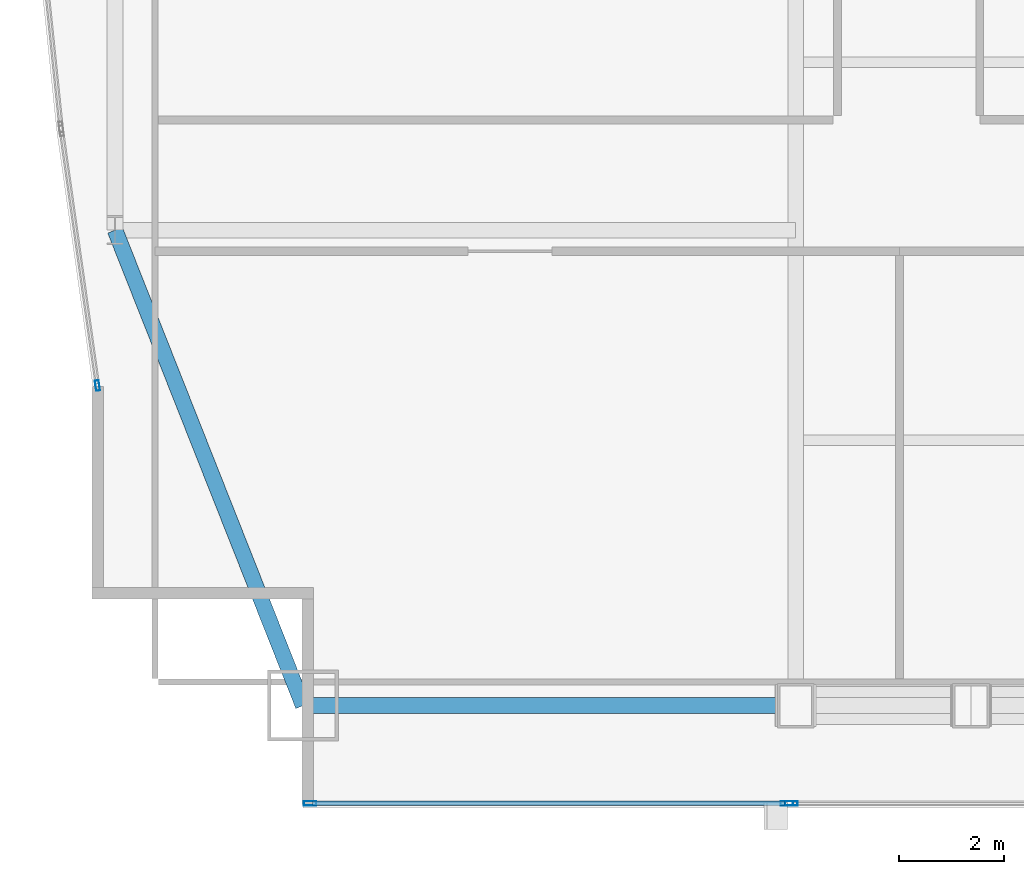
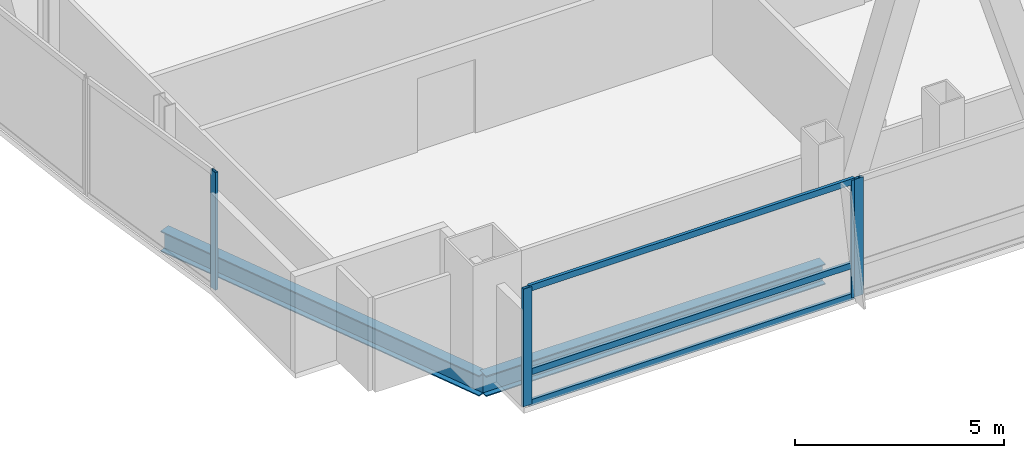
# One storey, part 5 of 30: 7 members, 2 beams, 3 elements without a shape of their own.
"""IFC4 building model written with IfcOpenShell, lengths in metres."""

from ifc_helpers import new_model, si_unit, direction, frame, origin, origin_2d, place, context, subcontext, project, spatial, hollow_rectangle, i_section, extrude, material, material_profile, profile_set, type_object, element, aggregate, save


model = new_model("IFC4")

# Units and contexts
model_context = context("Model", 3, precision=1e-05, world=origin(), true_north=direction((0.0, 1.0)))
body_context = subcontext(model_context, "Body", "Model", "MODEL_VIEW")
ifc_project = project(units=[si_unit("LENGTHUNIT", "METRE"), si_unit("AREAUNIT", "SQUARE_METRE"), si_unit("VOLUMEUNIT", "CUBIC_METRE"), si_unit("PLANEANGLEUNIT", "RADIAN"), si_unit("MASSUNIT", "GRAM", prefix="KILO")], contexts=[model_context])

# Site, building, storey
site_placement = place(None, origin())
site = spatial("IfcSite", under=ifc_project, at=site_placement, CompositionType="ELEMENT")
building_placement = place(site_placement, origin())
building = spatial("IfcBuilding", under=site, at=building_placement, Name="Khoronbel Lancet Exchange", CompositionType="ELEMENT")
storey_placement = place(building_placement, frame((0.0, 0.0, 147.0)))
storey = spatial("IfcBuildingStorey", under=building, at=storey_placement, Name="L36", CompositionType="ELEMENT", Elevation=147.0)

# Beams
ifc_material_1 = material(Name="Steel S355", Category="steel")
ifc_material_profile_1 = material_profile(ifc_material_1, i_section(OverallWidth=0.300048828125, OverallDepth=0.60009765625, WebThickness=0.015380859375, FlangeThickness=0.030029296875, at=origin_2d()), Name="HEB 600")
ifc_profile_set_1 = profile_set([ifc_material_profile_1], Name="Steel S355")
beam_type = type_object("IfcBeamType", Name="BM-BSP2", PredefinedType="SPANDREL", material=ifc_profile_set_1)
beam_1_placement = place(storey_placement, frame((8.85009765625, 10.14990234375, -0.4599609375), z_axis=(1.0, 0.0, 0.0), x_axis=(0.0, 1.0, 0.0)))
element("IfcBeam", 1, at=beam_1_placement, inside=storey, type_object=beam_type, Name="Level L36 perimeter spandrel beam SP01", PredefinedType="SPANDREL", context=body_context, shape_type="SweptSolid", body=[
    extrude(i_section(OverallWidth=0.300048828125, OverallDepth=0.60009765625, WebThickness=0.015380859375, FlangeThickness=0.030029296875, at=origin_2d()), origin(), (0.0, 0.0, 1.0), 9.375),
])
beam_2_placement = place(storey_placement, frame((5.27001953125, 19.199951171875, -0.4599609375), z_axis=(0.367850095026, -0.92988510451, 0.0), x_axis=(0.92988510451, 0.367850095026, 0.0)))
element("IfcBeam", 2, at=beam_2_placement, inside=storey, type_object=beam_type, Name="Level L36 perimeter spandrel beam SP21", PredefinedType="SPANDREL", context=body_context, shape_type="SweptSolid", body=[
    extrude(i_section(OverallWidth=0.300048828125, OverallDepth=0.60009765625, WebThickness=0.015380859375, FlangeThickness=0.030029296875, at=origin_2d()), origin(), (0.0, 0.0, 1.0), 9.732421875),
])

# Curtain wall, members
ifc_material_2 = material(Name="Low-E Solar Control Insulating Glass", Category="glass")
curtain_wall_type_1 = type_object("IfcCurtainWallType", Name="CW-3", PredefinedType="NOTDEFINED", material=ifc_material_2)
curtain_wall_1_placement = place(storey_placement, origin())
curtain_wall_1 = element("IfcCurtainWall", 3, at=curtain_wall_1_placement, inside=storey, type_object=curtain_wall_type_1, Name="Unitised curtain wall CW-L36-SWV", PredefinedType="NOTDEFINED")
ifc_material_3 = material(Name="Bronze-Anodised Aluminium 6063-T6", Category="aluminium")
ifc_material_profile_2 = material_profile(ifc_material_3, hollow_rectangle(XDim=0.0849609375, YDim=0.239990234375, WallThickness=0.006103515625, at=origin_2d()), Name="ALU MULLION 85x240")
ifc_profile_set_2 = profile_set([ifc_material_profile_2], Name="Bronze-Anodised Aluminium 6063-T6")
member_type_1 = type_object("IfcMemberType", Name="MEM-CWM1", PredefinedType="MULLION", material=ifc_profile_set_2)
member_1_placement = place(storey_placement, frame((8.982421875, 8.2900390625, 0.0), z_axis=(0.0, 0.0, 1.0), x_axis=(0.0, 1.0, 0.0)))
member_1 = element("IfcMember", 4, at=member_1_placement, type_object=member_type_1, Name="CW3 mullion 1", PredefinedType="MULLION", context=body_context, shape_type="SweptSolid", body=[
    extrude(hollow_rectangle(XDim=0.0849609375, YDim=0.239990234375, WallThickness=0.006103515625, at=origin_2d()), origin(), (0.0, 0.0, 1.0), 3.43994140625),
])
member_2_placement = place(storey_placement, frame((18.0576171875, 8.2900390625, 0.0), z_axis=(0.0, 0.0, 1.0), x_axis=(0.0, 1.0, 0.0)))
member_2 = element("IfcMember", 5, at=member_2_placement, type_object=member_type_1, Name="CW3 mullion 2", PredefinedType="MULLION", context=body_context, shape_type="SweptSolid", body=[
    extrude(hollow_rectangle(XDim=0.0849609375, YDim=0.239990234375, WallThickness=0.006103515625, at=origin_2d()), origin(), (0.0, 0.0, 1.0), 3.43994140625),
])

# Curtain wall, member
curtain_wall_2_placement = place(storey_placement, origin())
curtain_wall_2 = element("IfcCurtainWall", 6, at=curtain_wall_2_placement, inside=storey, type_object=curtain_wall_type_1, Name="Unitised curtain wall CW-L36-SWB", PredefinedType="NOTDEFINED")
member_3_placement = place(storey_placement, frame((18.142578125, 8.2900390625, 0.0), z_axis=(0.0, 0.0, 1.0), x_axis=(0.0, 1.0, 0.0)))
member_3 = element("IfcMember", 7, at=member_3_placement, type_object=member_type_1, Name="CW3 mullion 1", PredefinedType="MULLION", context=body_context, shape_type="SweptSolid", body=[
    extrude(hollow_rectangle(XDim=0.0849609375, YDim=0.239990234375, WallThickness=0.006103515625, at=origin_2d()), origin(), (0.0, 0.0, 1.0), 3.43994140625),
])
aggregate(curtain_wall_2, [member_3])

curtain_wall_type_2 = type_object("IfcCurtainWallType", Name="CW-4", PredefinedType="NOTDEFINED", material=ifc_material_2)
curtain_wall_3_placement = place(storey_placement, origin())
curtain_wall_3 = element("IfcCurtainWall", 8, at=curtain_wall_3_placement, inside=storey, type_object=curtain_wall_type_2, Name="Unitised curtain wall CW-L36-E04", PredefinedType="NOTDEFINED")
ifc_material_profile_3 = material_profile(ifc_material_3, hollow_rectangle(XDim=0.074951171875, YDim=0.199951171875, WallThickness=0.0048828125, at=origin_2d()), Name="ALU MULLION 75x200")
ifc_profile_set_3 = profile_set([ifc_material_profile_3], Name="Bronze-Anodised Aluminium 6063-T6")
member_type_2 = type_object("IfcMemberType", Name="MEM-CWM2", PredefinedType="MULLION", material=ifc_profile_set_3)
member_4_placement = place(storey_placement, frame((4.934814453125, 16.243408203125, 0.0), z_axis=(0.0, 0.0, 1.0), x_axis=(-0.990158054699, -0.139953659169, 0.0)))
member_4 = element("IfcMember", 9, at=member_4_placement, type_object=member_type_2, Name="CW4 mullion 1", PredefinedType="MULLION", context=body_context, shape_type="SweptSolid", body=[
    extrude(hollow_rectangle(XDim=0.074951171875, YDim=0.199951171875, WallThickness=0.0048828125, at=origin_2d()), origin(), (0.0, 0.0, 1.0), 3.43994140625),
])
aggregate(curtain_wall_3, [member_4])

# Member
ifc_material_profile_4 = material_profile(ifc_material_3, hollow_rectangle(XDim=0.0849609375, YDim=0.179931640625, WallThickness=0.0048828125, at=origin_2d()), Name="ALU TRANSOM 85x180")
ifc_profile_set_4 = profile_set([ifc_material_profile_4], Name="Bronze-Anodised Aluminium 6063-T6")
member_type_3 = type_object("IfcMemberType", Name="MEM-CWT1", PredefinedType="USERDEFINED", material=ifc_profile_set_4)
member_5_placement = place(storey_placement, frame((9.02490234375, 8.2900390625, 0.04248046875), z_axis=(1.0, 0.0, 0.0), x_axis=(0.0, 1.0, 0.0)))
member_5 = element("IfcMember", 10, at=member_5_placement, type_object=member_type_3, Name="CW3 transom 1.1", ObjectType="TRANSOM", PredefinedType="USERDEFINED", context=body_context, shape_type="SweptSolid", body=[
    extrude(hollow_rectangle(XDim=0.0849609375, YDim=0.179931640625, WallThickness=0.0048828125, at=origin_2d()), origin(), (0.0, 0.0, 1.0), 8.989990234375),
])

member_6_placement = place(storey_placement, frame((9.02490234375, 8.2900390625, 0.949951171875), z_axis=(1.0, 0.0, 0.0), x_axis=(0.0, 1.0, 0.0)))
member_6 = element("IfcMember", 11, at=member_6_placement, type_object=member_type_3, Name="CW3 transom 1.2", ObjectType="TRANSOM", PredefinedType="USERDEFINED", context=body_context, shape_type="SweptSolid", body=[
    extrude(hollow_rectangle(XDim=0.0849609375, YDim=0.179931640625, WallThickness=0.0048828125, at=origin_2d()), origin(), (0.0, 0.0, 1.0), 8.989990234375),
])

member_7_placement = place(storey_placement, frame((9.02490234375, 8.2900390625, 3.3974609375), z_axis=(1.0, 0.0, 0.0), x_axis=(0.0, 1.0, 0.0)))
member_7 = element("IfcMember", 12, at=member_7_placement, type_object=member_type_3, Name="CW3 transom 1.3", ObjectType="TRANSOM", PredefinedType="USERDEFINED", context=body_context, shape_type="SweptSolid", body=[
    extrude(hollow_rectangle(XDim=0.0849609375, YDim=0.179931640625, WallThickness=0.0048828125, at=origin_2d()), origin(), (0.0, 0.0, 1.0), 8.989990234375),
])

aggregate(curtain_wall_1, [member_1, member_2, member_5, member_6, member_7])

save(model, "model.ifc")
